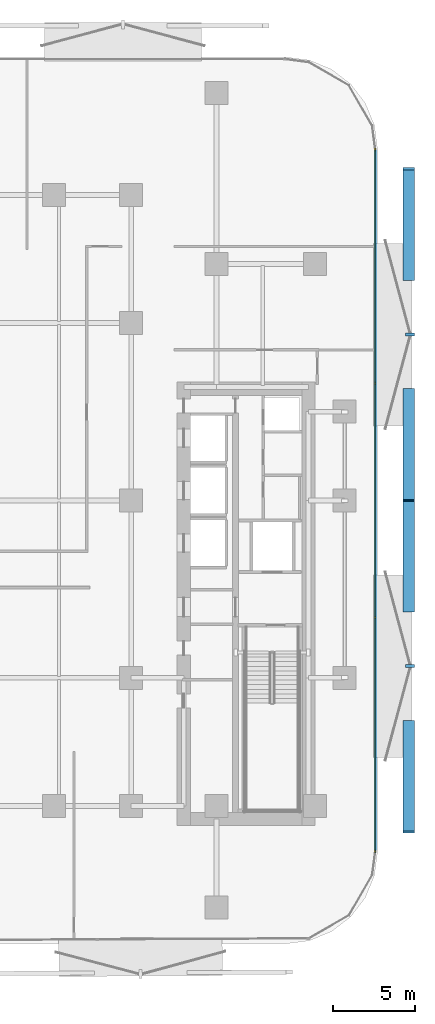
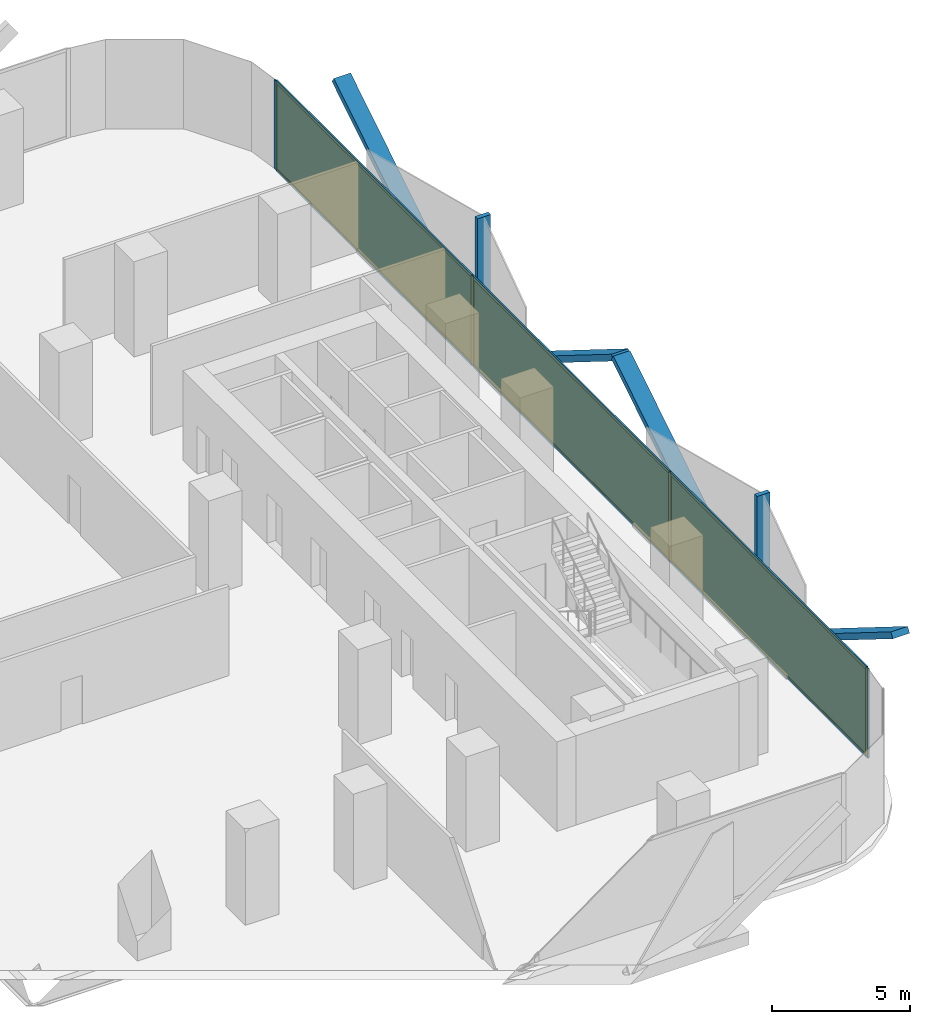
# One storey, part 9 of 15: 16 members, 3 plates, 1 curtain wall.
"""IFC4 building model written with IfcOpenShell, lengths in metres."""

from ifc_helpers import new_model, si_unit, direction, frame, frame_2d, origin, origin_2d, place, context, subcontext, project, spatial, rectangle, extrude, material, layer, layer_set, material_profile, profile_set, type_object, element, aggregate, save


model = new_model("IFC4")

# Units and contexts
model_context = context("Model", 3, precision=1e-05, world=origin(), true_north=direction((0.0, 1.0)))
body_context = subcontext(model_context, "Body", "Model", "MODEL_VIEW")
ifc_project = project(units=[si_unit("LENGTHUNIT", "METRE"), si_unit("AREAUNIT", "SQUARE_METRE"), si_unit("VOLUMEUNIT", "CUBIC_METRE"), si_unit("PLANEANGLEUNIT", "RADIAN"), si_unit("MASSUNIT", "GRAM", prefix="KILO")], contexts=[model_context])

# Member
ifc_material_1 = material(Name="Anodised Bronze Aluminium 6063-T6", Category="aluminium")
ifc_material_profile_1 = material_profile(ifc_material_1, rectangle(XDim=0.260009765625, YDim=0.699951171875, at=origin_2d()))
ifc_profile_set_1 = profile_set([ifc_material_profile_1], Name="Anodised Bronze Aluminium 6063-T6")
member_type_1 = type_object("IfcMemberType", Name="Bronze Diamond Solar-Screen Lattice Rib BDL-700", PredefinedType="MULLION", material=ifc_profile_set_1)
site_placement = place(None, origin())
building_placement = place(site_placement, origin())
storey_placement = place(building_placement, frame((0.0, 0.0, 34.39990234375)))
member_1_placement = place(storey_placement, frame((26.10009765625, 6.730224609375, -0.1298828125), z_axis=(0.0, -0.848362902952, 0.529415134744), x_axis=(0.0, -0.529415134744, -0.848362902952)))
member_1 = element("IfcMember", 1, at=member_1_placement, type_object=member_type_1, Name="L08 Bronze Diamond Solar Screen Lattice Rib 23A", PredefinedType="MULLION", context=body_context, shape_type="SweptSolid", body=[
    extrude(rectangle(XDim=0.260009765625, YDim=0.699951171875, at=origin_2d()), origin(), (0.0, 0.0, 1.0), 7.93310546875),
])

member_2_placement = place(storey_placement, frame((26.10009765625, 13.46044921875, -0.1298828125), z_axis=(0.0, 0.848371528126, 0.529401313057), x_axis=(0.0, 0.529401313057, -0.848371528126)))
member_2 = element("IfcMember", 2, at=member_2_placement, type_object=member_type_1, Name="L08 Bronze Diamond Solar Screen Lattice Rib 23B", PredefinedType="MULLION", context=body_context, shape_type="SweptSolid", body=[
    extrude(rectangle(XDim=0.260009765625, YDim=0.699951171875, at=origin_2d()), origin(), (0.0, 0.0, 1.0), 7.933349609375),
])

member_3_placement = place(storey_placement, frame((26.10009765625, -13.46044921875, -0.1298828125), z_axis=(0.0, -0.848371528126, 0.529401313057), x_axis=(0.0, -0.529401313057, -0.848371528126)))
member_3 = element("IfcMember", 3, at=member_3_placement, type_object=member_type_1, Name="L08 Bronze Diamond Solar Screen Lattice Rib 24A", PredefinedType="MULLION", context=body_context, shape_type="SweptSolid", body=[
    extrude(rectangle(XDim=0.260009765625, YDim=0.699951171875, at=origin_2d()), origin(), (0.0, 0.0, 1.0), 7.933349609375),
])

member_4_placement = place(storey_placement, frame((26.10009765625, -6.730224609375, -0.1298828125), z_axis=(0.0, 0.848362902952, 0.529415134744), x_axis=(0.0, 0.529415134744, -0.848362902952)))
member_4 = element("IfcMember", 4, at=member_4_placement, type_object=member_type_1, Name="L08 Bronze Diamond Solar Screen Lattice Rib 24B", PredefinedType="MULLION", context=body_context, shape_type="SweptSolid", body=[
    extrude(rectangle(XDim=0.260009765625, YDim=0.699951171875, at=origin_2d()), origin(), (0.0, 0.0, 1.0), 7.93310546875),
])

ifc_material_2 = material(Name="Anodised Bronze Aluminium 6063-T6", Category="aluminium")
ifc_material_profile_2 = material_profile(ifc_material_2, rectangle(XDim=0.179931640625, YDim=0.5400390625, at=origin_2d()))
ifc_profile_set_2 = profile_set([ifc_material_profile_2], Name="Anodised Bronze Aluminium 6063-T6")
member_type_2 = type_object("IfcMemberType", Name="Bronze Solar-Screen Vertical Fold Fin BSF-540", PredefinedType="MULLION", material=ifc_profile_set_2)
member_5_placement = place(storey_placement, frame((26.179931640625, 10.095458984375, -0.1298828125), z_axis=(0.0, 0.0, 1.0), x_axis=(0.0, -1.0, 0.0)))
member_5 = element("IfcMember", 5, at=member_5_placement, type_object=member_type_2, Name="L08 Bronze Solar Screen Vertical Fin 23", PredefinedType="MULLION", context=body_context, shape_type="SweptSolid", body=[
    extrude(rectangle(XDim=0.179931640625, YDim=0.5400390625, at=origin_2d()), origin(), (0.0, 0.0, 1.0), 4.199951171875),
])

member_6_placement = place(storey_placement, frame((26.179931640625, -10.095458984375, -0.1298828125), z_axis=(0.0, 0.0, 1.0), x_axis=(0.0, -1.0, 0.0)))
member_6 = element("IfcMember", 6, at=member_6_placement, type_object=member_type_2, Name="L08 Bronze Solar Screen Vertical Fin 24", PredefinedType="MULLION", context=body_context, shape_type="SweptSolid", body=[
    extrude(rectangle(XDim=0.179931640625, YDim=0.5400390625, at=origin_2d()), origin(), (0.0, 0.0, 1.0), 4.199951171875),
])

ifc_material_3 = material(Name="Anodised Bronze Aluminium 6063-T6", Category="aluminium")
ifc_material_profile_3 = material_profile(ifc_material_3, rectangle(XDim=0.06494140625, YDim=0.179931640625, at=origin_2d()))
ifc_profile_set_3 = profile_set([ifc_material_profile_3], Name="Anodised Bronze Aluminium 6063-T6")
member_type_3 = type_object("IfcMemberType", Name="CW-Z1 Mullion 65x180", PredefinedType="MULLION", material=ifc_profile_set_3)
member_7_placement = place(storey_placement, frame((24.06005859375, 21.3583984375, 0.0), z_axis=(0.0, 0.0, 1.0), x_axis=(1.0, 0.0, 0.0)))
member_7 = element("IfcMember", 7, at=member_7_placement, type_object=member_type_3, Name="CW-Z1 mullion 1", PredefinedType="MULLION", context=body_context, shape_type="SweptSolid", body=[
    extrude(rectangle(XDim=0.06494140625, YDim=0.179931640625, at=origin_2d()), origin(), (0.0, 0.0, 1.0), 3.940185546875),
])

member_8_placement = place(storey_placement, frame((24.06005859375, 7.13037109375, 0.0), z_axis=(0.0, 0.0, 1.0), x_axis=(1.0, 0.0, 0.0)))
member_8 = element("IfcMember", 8, at=member_8_placement, type_object=member_type_3, Name="CW-Z1 mullion 2", PredefinedType="MULLION", context=body_context, shape_type="SweptSolid", body=[
    extrude(rectangle(XDim=0.06494140625, YDim=0.179931640625, at=origin_2d()), origin(), (0.0, 0.0, 1.0), 3.940185546875),
])

member_9_placement = place(storey_placement, frame((24.06005859375, -7.13037109375, 0.0), z_axis=(0.0, 0.0, 1.0), x_axis=(1.0, 0.0, 0.0)))
member_9 = element("IfcMember", 9, at=member_9_placement, type_object=member_type_3, Name="CW-Z1 mullion 3", PredefinedType="MULLION", context=body_context, shape_type="SweptSolid", body=[
    extrude(rectangle(XDim=0.06494140625, YDim=0.179931640625, at=origin_2d()), origin(), (0.0, 0.0, 1.0), 3.940185546875),
])

member_10_placement = place(storey_placement, frame((24.06005859375, -21.3583984375, 0.0), z_axis=(0.0, 0.0, 1.0), x_axis=(1.0, 0.0, 0.0)))
member_10 = element("IfcMember", 10, at=member_10_placement, type_object=member_type_3, Name="CW-Z1 mullion 4", PredefinedType="MULLION", context=body_context, shape_type="SweptSolid", body=[
    extrude(rectangle(XDim=0.06494140625, YDim=0.179931640625, at=origin_2d()), origin(), (0.0, 0.0, 1.0), 3.940185546875),
])

ifc_material_4 = material(Name="Anodised Bronze Aluminium 6063-T6", Category="aluminium")
ifc_material_profile_4 = material_profile(ifc_material_4, rectangle(XDim=0.06494140625, YDim=0.139892578125, at=origin_2d()))
ifc_profile_set_4 = profile_set([ifc_material_profile_4], Name="Anodised Bronze Aluminium 6063-T6")
member_type_4 = type_object("IfcMemberType", Name="CW-Z1 Transom 65x140", PredefinedType="USERDEFINED", material=ifc_profile_set_4)
member_11_placement = place(storey_placement, frame((24.06005859375, 21.32568359375, 0.03271484375), z_axis=(0.0, -1.0, 0.0), x_axis=(1.0, 0.0, 0.0)))
member_11 = element("IfcMember", 11, at=member_11_placement, type_object=member_type_4, Name="CW-Z1 transom 1.1", ObjectType="TRANSOM", PredefinedType="USERDEFINED", context=body_context, shape_type="SweptSolid", body=[
    extrude(rectangle(XDim=0.06494140625, YDim=0.139892578125, at=origin_2d()), origin(), (0.0, 0.0, 1.0), 14.162841796875),
])

member_12_placement = place(storey_placement, frame((24.06005859375, 21.32568359375, 3.90771484375), z_axis=(0.0, -1.0, 0.0), x_axis=(1.0, 0.0, 0.0)))
member_12 = element("IfcMember", 12, at=member_12_placement, type_object=member_type_4, Name="CW-Z1 transom 1.2", ObjectType="TRANSOM", PredefinedType="USERDEFINED", context=body_context, shape_type="SweptSolid", body=[
    extrude(rectangle(XDim=0.06494140625, YDim=0.139892578125, at=origin_2d()), origin(), (0.0, 0.0, 1.0), 14.162841796875),
])

member_13_placement = place(storey_placement, frame((24.06005859375, 7.09765625, 0.03271484375), z_axis=(0.0, -1.0, 0.0), x_axis=(1.0, 0.0, 0.0)))
member_13 = element("IfcMember", 13, at=member_13_placement, type_object=member_type_4, Name="CW-Z1 transom 2.1", ObjectType="TRANSOM", PredefinedType="USERDEFINED", context=body_context, shape_type="SweptSolid", body=[
    extrude(rectangle(XDim=0.06494140625, YDim=0.139892578125, at=origin_2d()), origin(), (0.0, 0.0, 1.0), 14.1953125),
])

member_14_placement = place(storey_placement, frame((24.06005859375, 7.09765625, 3.90771484375), z_axis=(0.0, -1.0, 0.0), x_axis=(1.0, 0.0, 0.0)))
member_14 = element("IfcMember", 14, at=member_14_placement, type_object=member_type_4, Name="CW-Z1 transom 2.2", ObjectType="TRANSOM", PredefinedType="USERDEFINED", context=body_context, shape_type="SweptSolid", body=[
    extrude(rectangle(XDim=0.06494140625, YDim=0.139892578125, at=origin_2d()), origin(), (0.0, 0.0, 1.0), 14.1953125),
])

member_15_placement = place(storey_placement, frame((24.06005859375, -7.162841796875, 0.03271484375), z_axis=(0.0, -1.0, 0.0), x_axis=(1.0, 0.0, 0.0)))
member_15 = element("IfcMember", 15, at=member_15_placement, type_object=member_type_4, Name="CW-Z1 transom 3.1", ObjectType="TRANSOM", PredefinedType="USERDEFINED", context=body_context, shape_type="SweptSolid", body=[
    extrude(rectangle(XDim=0.06494140625, YDim=0.139892578125, at=origin_2d()), origin(), (0.0, 0.0, 1.0), 14.162841796875),
])

member_16_placement = place(storey_placement, frame((24.06005859375, -7.162841796875, 3.90771484375), z_axis=(0.0, -1.0, 0.0), x_axis=(1.0, 0.0, 0.0)))
member_16 = element("IfcMember", 16, at=member_16_placement, type_object=member_type_4, Name="CW-Z1 transom 3.2", ObjectType="TRANSOM", PredefinedType="USERDEFINED", context=body_context, shape_type="SweptSolid", body=[
    extrude(rectangle(XDim=0.06494140625, YDim=0.139892578125, at=origin_2d()), origin(), (0.0, 0.0, 1.0), 14.162841796875),
])

# Plate
ifc_material_5 = material(Name="Low-E Solar Control Laminated Glass", Category="glass")
ifc_layer_1 = layer(ifc_material_5, 0.028076171875, Name="Low-E Solar Control Laminated Glass")
ifc_layer_set_1 = layer_set([ifc_layer_1], Name="Low-E Solar Control Laminated Glass")
plate_type = type_object("IfcPlateType", Name="CW-Z1 Low-E Double Glazed Panel 28mm", PredefinedType="CURTAIN_PANEL", material=ifc_layer_set_1)
plate_1_placement = place(storey_placement, frame((24.06005859375, 14.244384765625, 0.065185546875), z_axis=(0.0, 0.0, 1.0), x_axis=(0.0, -1.0, 0.0)))
plate_1 = element("IfcPlate", 17, at=plate_1_placement, type_object=plate_type, Name="CW-Z1 panel 1.1", PredefinedType="CURTAIN_PANEL", context=body_context, shape_type="SweptSolid", body=[
    extrude(rectangle(XDim=14.1630859375, YDim=0.028076171875, at=origin_2d()), origin(), (0.0, 0.0, 1.0), 3.81005859375),
])

plate_2_placement = place(storey_placement, frame((24.06005859375, 0.0, 0.065185546875), z_axis=(0.0, 0.0, 1.0), x_axis=(0.0, -1.0, 0.0)))
plate_2 = element("IfcPlate", 18, at=plate_2_placement, type_object=plate_type, Name="CW-Z1 panel 2.1", PredefinedType="CURTAIN_PANEL", context=body_context, shape_type="SweptSolid", body=[
    extrude(rectangle(XDim=14.195556640625, YDim=0.028076171875, at=origin_2d()), origin(), (0.0, 0.0, 1.0), 3.81005859375),
])

plate_3_placement = place(storey_placement, frame((24.06005859375, -14.244384765625, 0.065185546875), z_axis=(0.0, 0.0, 1.0), x_axis=(0.0, -1.0, 0.0)))
plate_3 = element("IfcPlate", 19, at=plate_3_placement, type_object=plate_type, Name="CW-Z1 panel 3.1", PredefinedType="CURTAIN_PANEL", context=body_context, shape_type="SweptSolid", body=[
    extrude(rectangle(XDim=14.1630859375, YDim=0.028076171875, at=origin_2d()), origin(), (0.0, 0.0, 1.0), 3.81005859375),
])

# Site, building, storey
site = spatial("IfcSite", under=ifc_project, at=site_placement, CompositionType="ELEMENT")
building = spatial("IfcBuilding", under=site, at=building_placement, Name="Khairoan Windgate Tower", CompositionType="ELEMENT")
storey = spatial("IfcBuildingStorey", under=building, at=storey_placement, Name="L08", CompositionType="ELEMENT", Elevation=34.39990234375)

# Curtain wall
ifc_material_6 = material(Name="Anodised Bronze Aluminium 6063-T6", Category="aluminium")
ifc_layer_2 = layer(ifc_material_6, 0.179931640625, Name="Anodised Bronze Aluminium 6063-T6")
ifc_layer_set_2 = layer_set([ifc_layer_2], Name="Anodised Bronze Aluminium 6063-T6")
curtain_wall_type = type_object("IfcCurtainWallType", Name="Low-Rise Office Unitised Curtain Wall CW-Z1", PredefinedType="NOTDEFINED", material=ifc_layer_set_2)
curtain_wall_placement = place(storey_placement, frame((24.06005859375, 21.390869140625, 0.0), z_axis=(0.0, 0.0, 1.0), x_axis=(0.0, -1.0, 0.0)))
curtain_wall = element("IfcCurtainWall", 20, at=curtain_wall_placement, inside=storey, type_object=curtain_wall_type, Name="L08 Unitised Curtain Wall 16", PredefinedType="NOTDEFINED", context=body_context, shape_type="SweptSolid", body=[
    extrude(rectangle(XDim=42.78173828125, YDim=0.010009765625, at=frame_2d((21.390869140625, 0.0))), origin(), (0.0, 0.0, 1.0), 3.940185546875),
])

aggregate(curtain_wall, [member_7, member_8, member_9, member_10, member_11, member_12, plate_1, member_13, member_14, plate_2, member_15, member_16, plate_3, member_1, member_2, member_5, member_3, member_4, member_6])

save(model, "model.ifc")
